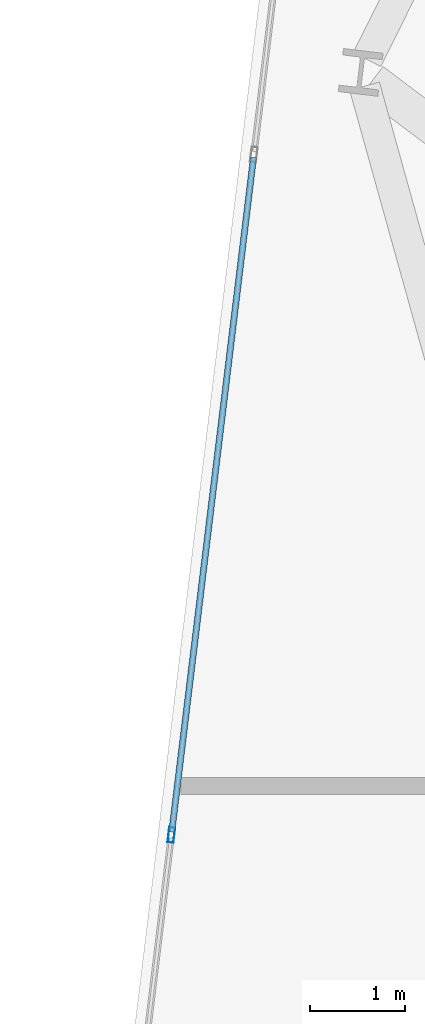
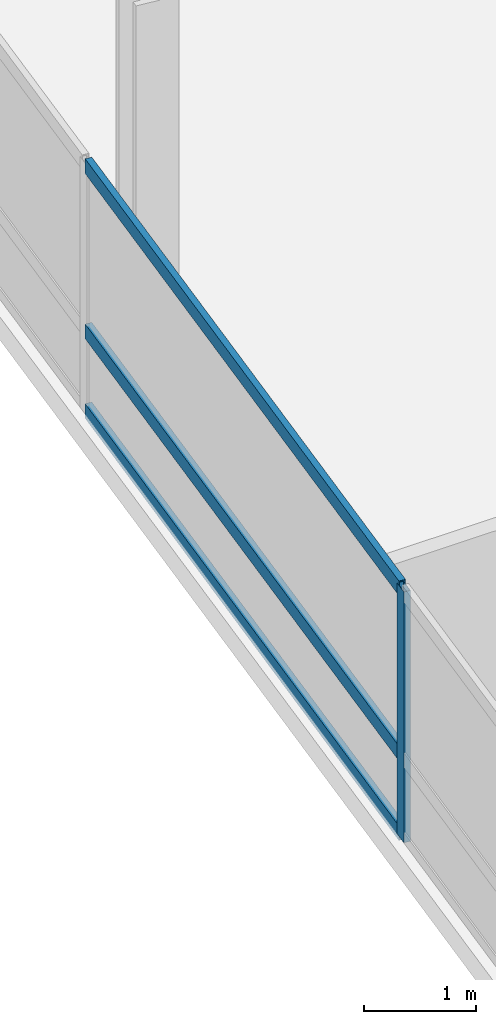
# One storey, part 6 of 26: 4 members, 1 element without a shape of its own.
"""IFC4 building model written with IfcOpenShell, lengths in metres."""

import ifcopenshell
import ifcopenshell.guid

model = None  # the IFC model being written
_history = None  # IfcOwnerHistory: only IFC2X3 demands one
_inside = {}  # id of a spatial element -> (the spatial element, [elements in it])
_under = {}  # id of a project, library or spatial element -> (it, [spatial elements below it])
_declared = {}  # id of a project -> (the project, [libraries it declares])
_typed = {}  # id of a type object -> (the type object, [elements of that type])
_made_of = {}  # id of a material, layer set ... -> (it, [elements and type objects made of it])


def new_model(schema):
    """Start an empty IFC model of exactly this schema.

    Asked for "IFC4X3", IfcOpenShell would pick the latest addendum, in which some entities
    have other attributes; the version numbers below select the first issue.
    IFC2X3 requires an IfcOwnerHistory on every rooted entity: one is made here for all.
    """
    global model, _history
    if schema == "IFC4X3":
        model = ifcopenshell.file(schema_version=(4, 3, 0, 0))
    else:
        model = ifcopenshell.file(schema=schema)
    _inside.clear()
    _under.clear()
    _declared.clear()
    _typed.clear()
    _made_of.clear()
    _history = None
    if model.schema == "IFC2X3":
        org = make("IfcOrganization", Name="unknown")
        user = make(
            "IfcPersonAndOrganization",
            ThePerson=make("IfcPerson", FamilyName="unknown"),
            TheOrganization=org,
        )
        app = make(
            "IfcApplication",
            ApplicationDeveloper=org,
            Version="unknown",
            ApplicationFullName="unknown",
            ApplicationIdentifier="unknown",
        )
        _history = make(
            "IfcOwnerHistory",
            OwningUser=user,
            OwningApplication=app,
            ChangeAction="ADDED",
            CreationDate=0,
        )
    return model


def make(cls, **values):
    """One entity of the class cls with the attributes given. An attribute that is None is left unset."""
    return model.create_entity(
        cls, **{name: value for name, value in values.items() if value is not None}
    )


def rooted(cls, **values):
    """An entity with a GlobalId (a new one), such as an element, a storey or a relation."""
    return make(cls, GlobalId=ifcopenshell.guid.new(), OwnerHistory=_history, **values)


def si_unit(unit_type, name, prefix=None):
    """IfcSIUnit, for example si_unit("LENGTHUNIT", "METRE", prefix="MILLI")."""
    return make("IfcSIUnit", UnitType=unit_type, Prefix=prefix, Name=name)


def assignment(units):
    """IfcUnitAssignment: the units of a project."""
    return None if units is None else make("IfcUnitAssignment", Units=units)


def point(xyz):
    """IfcCartesianPoint."""
    return None if xyz is None else make("IfcCartesianPoint", Coordinates=xyz)


def direction(xyz):
    """IfcDirection."""
    return None if xyz is None else make("IfcDirection", DirectionRatios=xyz)


def frame(location, z_axis=None, x_axis=None):
    """IfcAxis2Placement3D, a coordinate frame: its origin and axes. An axis left out is left unset."""
    return make(
        "IfcAxis2Placement3D",
        Location=point(location),
        Axis=direction(z_axis),
        RefDirection=direction(x_axis),
    )


def frame_2d(location, x_axis=None):
    """IfcAxis2Placement2D, a coordinate frame in the plane: its origin and x axis."""
    return make(
        "IfcAxis2Placement2D", Location=point(location), RefDirection=direction(x_axis)
    )


def origin():
    """The frame at (0, 0, 0) with its axes left unset."""
    return frame((0.0, 0.0, 0.0))


def origin_2d():
    """The frame at (0, 0) in the plane with its x axis left unset."""
    return frame_2d((0.0, 0.0))


def place(relative_to, where):
    """IfcLocalPlacement: puts the frame where relative to a parent placement (None: the world)."""
    return make(
        "IfcLocalPlacement", PlacementRelTo=relative_to, RelativePlacement=where
    )


def context(
    kind, dimensions, precision=None, world=None, true_north=None, identifier=None
):
    """IfcGeometricRepresentationContext, for example the 3D "Model" context."""
    return make(
        "IfcGeometricRepresentationContext",
        ContextIdentifier=identifier,
        ContextType=kind,
        CoordinateSpaceDimension=dimensions,
        Precision=precision,
        WorldCoordinateSystem=world,
        TrueNorth=true_north,
    )


def subcontext(parent, identifier, kind, view, scale=None):
    """IfcGeometricRepresentationSubContext, for example "Body" below "Model"."""
    return make(
        "IfcGeometricRepresentationSubContext",
        ContextIdentifier=identifier,
        ContextType=kind,
        ParentContext=parent,
        TargetScale=scale,
        TargetView=view,
    )


def project(units=None, contexts=None):
    """IfcProject with its units and contexts."""
    return rooted(
        "IfcProject",
        Name="project",
        RepresentationContexts=contexts,
        UnitsInContext=assignment(units),
    )


def spatial(cls, under=None, at=None, **own):
    """A site, building, storey or space (cls), placed at a placement, below another one or the project."""
    s = rooted(cls, ObjectPlacement=at, **own)
    if under is not None:
        _under.setdefault(under.id(), (under, []))[1].append(s)
    return s


def profile(cls, at=None, kind="AREA", **sizes):
    """A parametric profile (cls). Its sizes go by their IFC names, for example OverallWidth=200.0."""
    return make(cls, ProfileType=kind, Position=at, **sizes)


def hollow_rectangle(**sizes):
    """IfcRectangleHollowProfileDef."""
    return profile("IfcRectangleHollowProfileDef", **sizes)


def extrude(swept, where, along, depth):
    """IfcExtrudedAreaSolid: the profile swept, set in the frame where, extruded along a direction by depth."""
    return make(
        "IfcExtrudedAreaSolid",
        SweptArea=swept,
        Position=where,
        ExtrudedDirection=direction(along),
        Depth=depth,
    )


def shape(context_of_items, identifier, shape_type, items):
    """IfcShapeRepresentation: the items that make up one representation, for example the "Body"."""
    return make(
        "IfcShapeRepresentation",
        ContextOfItems=context_of_items,
        RepresentationIdentifier=identifier,
        RepresentationType=shape_type,
        Items=items,
    )


def material(Name=None, Category=None):
    """IfcMaterial."""
    return make("IfcMaterial", Name=Name, Category=Category)


def layer(
    of_material, thickness, ventilated=None, Name=None, Category=None, Priority=None
):
    """IfcMaterialLayer: one layer of a wall or slab, of a material (None: an air gap)."""
    return make(
        "IfcMaterialLayer",
        Material=of_material,
        LayerThickness=thickness,
        IsVentilated=ventilated,
        Name=Name,
        Category=Category,
        Priority=Priority,
    )


def layer_set(layers, Name=None):
    """IfcMaterialLayerSet."""
    return make("IfcMaterialLayerSet", MaterialLayers=layers, LayerSetName=Name)


def material_profile(
    of_material, cross_section, Name=None, Category=None, Priority=None
):
    """IfcMaterialProfile: a cross section and its material."""
    return make(
        "IfcMaterialProfile",
        Name=Name,
        Material=of_material,
        Profile=cross_section,
        Priority=Priority,
        Category=Category,
    )


def profile_set(profiles, Name=None, composite=None):
    """IfcMaterialProfileSet."""
    return make(
        "IfcMaterialProfileSet",
        Name=Name,
        MaterialProfiles=profiles,
        CompositeProfile=composite,
    )


def made_of(thing, what):
    """Note that an element or type object is made of a material, layer set ...; save() writes the relation."""
    if what is not None:
        _made_of.setdefault(what.id(), (what, []))[1].append(thing)
    return thing


def type_object(cls, material=None, **own):
    """A type object (cls), such as IfcWallType, which elements share."""
    return made_of(rooted(cls, **own), material)


def element(
    cls,
    number,
    at=None,
    inside=None,
    cuts=None,
    type_object=None,
    material=None,
    context=None,
    identifier="Body",
    shape_type=None,
    held_by="IfcProductDefinitionShape",
    body=None,
    shapes=None,
    **own,
):
    """One element of the class cls, such as IfcWall. Its Tag is "e" and its number.

    at: its placement. inside: the storey or other place that contains it. cuts: it is an
    opening in that element (IfcRelVoidsElement). A single representation is given by context,
    identifier, shape_type and body (its items); several are given by shapes. held_by: the class
    of the entity that holds the representations. save() writes the other relations.
    """
    e = rooted(cls, Tag="e%d" % number, ObjectPlacement=at, **own)
    if body is not None:
        shapes = [shape(context, identifier, shape_type, body)]
    if shapes is not None:
        e.Representation = make(held_by, Representations=shapes)
    if inside is not None:
        _inside.setdefault(inside.id(), (inside, []))[1].append(e)
    if cuts is not None:
        rooted(
            "IfcRelVoidsElement", RelatingBuildingElement=cuts, RelatedOpeningElement=e
        )
    if type_object is not None:
        _typed.setdefault(type_object.id(), (type_object, []))[1].append(e)
    return made_of(e, material)


def aggregate(whole, parts):
    """IfcRelAggregates: a whole, such as a stair, and the parts it consists of."""
    return rooted("IfcRelAggregates", RelatingObject=whole, RelatedObjects=parts)


def save(model, path):
    """Write the relations noted so far, then the file.

    IfcRelAggregates (storeys below a building ...), IfcRelContainedInSpatialStructure (elements
    in a storey), IfcRelDefinesByType, IfcRelAssociatesMaterial and IfcRelDeclares: one each for
    every whole, place, type object, material and project.
    """
    for whole, parts in _under.values():
        aggregate(whole, parts)
    for where, things in _inside.values():
        rooted(
            "IfcRelContainedInSpatialStructure",
            RelatedElements=things,
            RelatingStructure=where,
        )
    for kind, things in _typed.values():
        rooted("IfcRelDefinesByType", RelatedObjects=things, RelatingType=kind)
    for what, things in _made_of.values():
        rooted("IfcRelAssociatesMaterial", RelatedObjects=things, RelatingMaterial=what)
    for by, libraries in _declared.values():
        rooted("IfcRelDeclares", RelatingContext=by, RelatedDefinitions=libraries)
    model.write(path)


model = new_model("IFC4")

# Units and contexts
model_context = context("Model", 3, precision=1e-05, world=origin(), true_north=direction((0.0, 1.0)))
body_context = subcontext(model_context, "Body", "Model", "MODEL_VIEW")
ifc_project = project(units=[si_unit("LENGTHUNIT", "METRE"), si_unit("AREAUNIT", "SQUARE_METRE"), si_unit("VOLUMEUNIT", "CUBIC_METRE"), si_unit("PLANEANGLEUNIT", "RADIAN"), si_unit("MASSUNIT", "GRAM", prefix="KILO")], contexts=[model_context])

# Site, building, storey
site_placement = place(None, origin())
site = spatial("IfcSite", under=ifc_project, at=site_placement, CompositionType="ELEMENT")
building_placement = place(site_placement, origin())
building = spatial("IfcBuilding", under=site, at=building_placement, Name="Varnelok Gate Tower", CompositionType="ELEMENT")
storey_placement = place(building_placement, frame((0.0, 0.0, 155.0)))
storey = spatial("IfcBuildingStorey", under=building, at=storey_placement, Name="L39", CompositionType="ELEMENT", Elevation=155.0)

# Curtain wall, members
ifc_material = material(Name="Anodized Aluminum Alloy 6063-T6", Category="aluminium")
ifc_layer = layer(ifc_material, 0.179931640625)
ifc_layer_set = layer_set([ifc_layer], Name="Anodized Aluminum Alloy 6063-T6")
curtain_wall_type = type_object("IfcCurtainWallType", Name="CW3-HOTEL-VISION", PredefinedType="USERDEFINED", material=ifc_layer_set)
curtain_wall_placement = place(storey_placement, origin())
curtain_wall = element("IfcCurtainWall", 1, at=curtain_wall_placement, inside=storey, type_object=curtain_wall_type, Name="L39 West End Vision Curtain Wall", ObjectType="UNITISED CURTAIN WALL", PredefinedType="USERDEFINED")
ifc_material_profile_1 = material_profile(ifc_material, hollow_rectangle(XDim=0.06494140625, YDim=0.159912109375, WallThickness=0.00390625, at=origin_2d()), Name="ALU160X65X4")
ifc_profile_set_1 = profile_set([ifc_material_profile_1], Name="Anodized Aluminum Alloy 6063-T6")
member_type_1 = type_object("IfcMemberType", Name="CW-MULL-160", PredefinedType="MULLION", material=ifc_profile_set_1)
member_1_placement = place(storey_placement, frame((1.97607421875, 26.186279296875, 0.0), z_axis=(0.0, 0.0, 1.0), x_axis=(-0.99273188146, 0.120347046212, 0.0)))
member_1 = element("IfcMember", 2, at=member_1_placement, type_object=member_type_1, Name="CW3 mullion 3", PredefinedType="MULLION", context=body_context, shape_type="SweptSolid", body=[
    extrude(hollow_rectangle(XDim=0.06494140625, YDim=0.159912109375, WallThickness=0.00390625, at=origin_2d()), origin(), (0.0, 0.0, 1.0), 2.72998046875),
])
ifc_material_profile_2 = material_profile(ifc_material, hollow_rectangle(XDim=0.06494140625, YDim=0.159912109375, WallThickness=0.00390625, at=origin_2d()), Name="ALU160X65X4")
ifc_profile_set_2 = profile_set([ifc_material_profile_2], Name="Anodized Aluminum Alloy 6063-T6")
member_type_2 = type_object("IfcMemberType", Name="CW-TRAN-160", PredefinedType="USERDEFINED", material=ifc_profile_set_2)
member_2_placement = place(storey_placement, frame((1.97998046875, 26.218505859375, 0.032470703125), z_axis=(0.120344652138, 0.992732171687, 0.0), x_axis=(-0.992732171687, 0.120344652138, 0.0)))
member_2 = element("IfcMember", 3, at=member_2_placement, type_object=member_type_2, Name="CW3 transom 3.1", ObjectType="TRANSOM", PredefinedType="USERDEFINED", context=body_context, shape_type="SweptSolid", body=[
    extrude(hollow_rectangle(XDim=0.06494140625, YDim=0.159912109375, WallThickness=0.00390625, at=origin_2d()), origin(), (0.0, 0.0, 1.0), 7.134765625),
])
member_3_placement = place(storey_placement, frame((1.97998046875, 26.218505859375, 0.89990234375), z_axis=(0.120344652138, 0.992732171687, 0.0), x_axis=(-0.992732171687, 0.120344652138, 0.0)))
member_3 = element("IfcMember", 4, at=member_3_placement, type_object=member_type_2, Name="CW3 transom 3.2", ObjectType="TRANSOM", PredefinedType="USERDEFINED", context=body_context, shape_type="SweptSolid", body=[
    extrude(hollow_rectangle(XDim=0.06494140625, YDim=0.159912109375, WallThickness=0.00390625, at=origin_2d()), origin(), (0.0, 0.0, 1.0), 7.134765625),
])
member_4_placement = place(storey_placement, frame((1.97998046875, 26.218505859375, 2.697509765625), z_axis=(0.120344652138, 0.992732171687, 0.0), x_axis=(-0.992732171687, 0.120344652138, 0.0)))
member_4 = element("IfcMember", 5, at=member_4_placement, type_object=member_type_2, Name="CW3 transom 3.3", ObjectType="TRANSOM", PredefinedType="USERDEFINED", context=body_context, shape_type="SweptSolid", body=[
    extrude(hollow_rectangle(XDim=0.06494140625, YDim=0.159912109375, WallThickness=0.00390625, at=origin_2d()), origin(), (0.0, 0.0, 1.0), 7.134765625),
])
aggregate(curtain_wall, [member_1, member_2, member_3, member_4])

save(model, "model.ifc")
